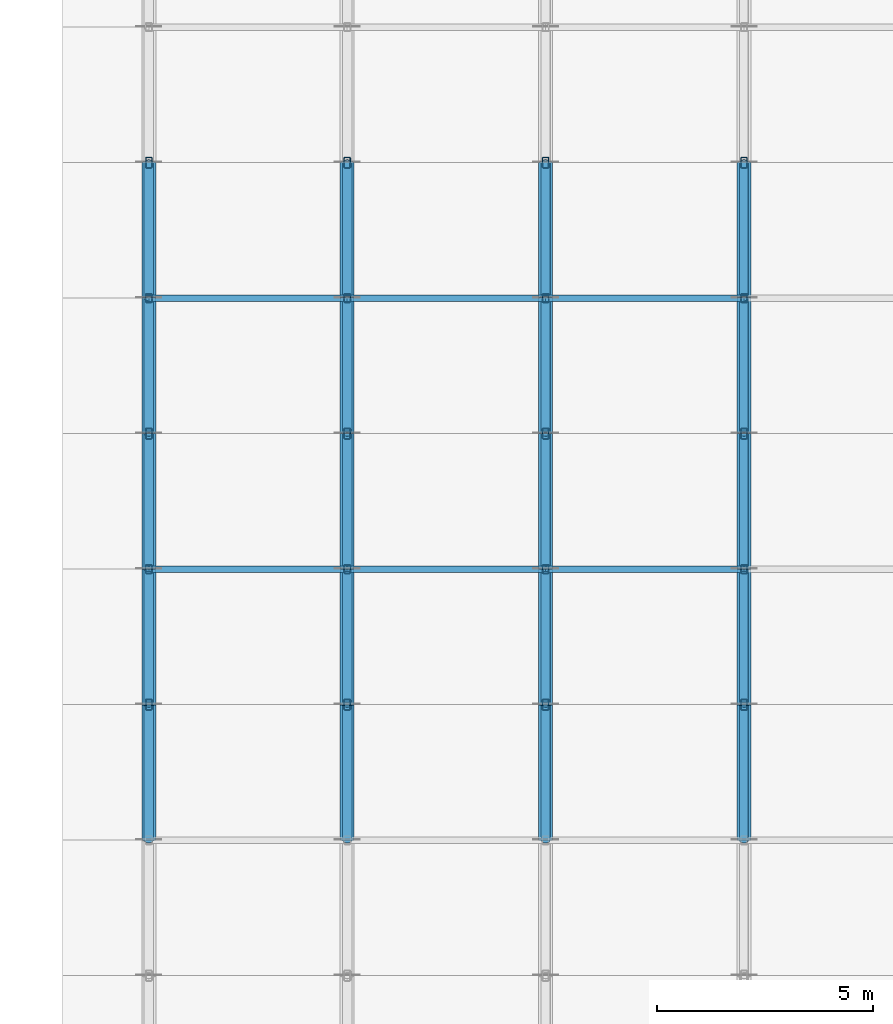
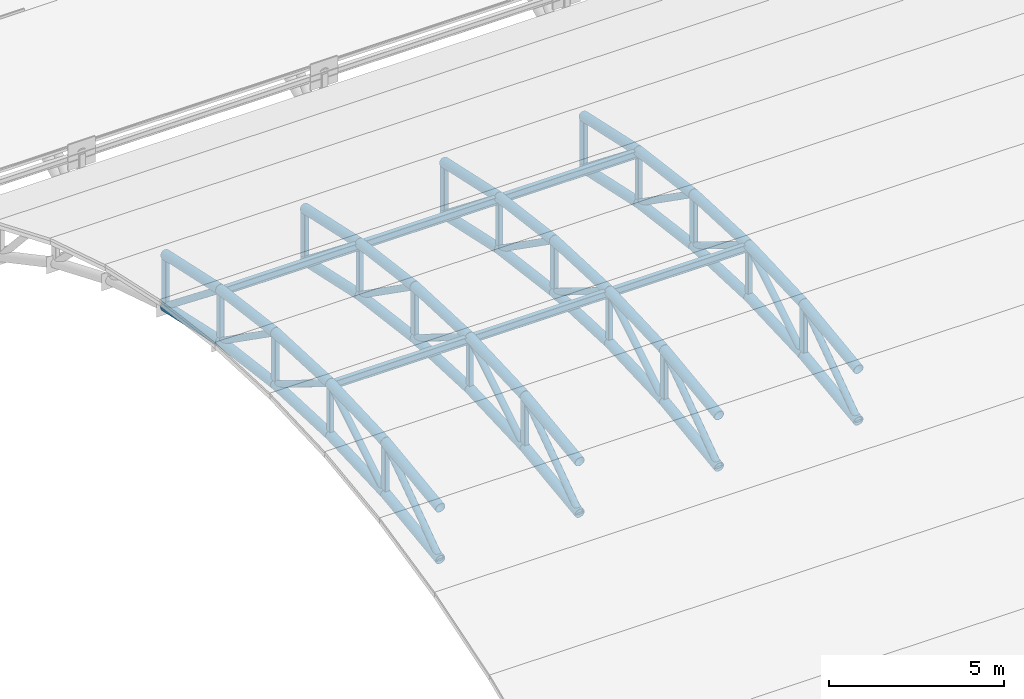
# One storey, part 41 of 98: 86 members.
"""IFC4 building model written with IfcOpenShell, lengths in metres."""

from ifc_helpers import new_model, si_unit, direction, frame, origin, origin_2d, place, context, subcontext, project, spatial, hollow_rectangle, hollow_circle, i_section, extrude, material, material_profile, profile_set, type_object, element, save


model = new_model("IFC4")

# Units and contexts
model_context = context("Model", 3, precision=1e-05, world=origin(), true_north=direction((0.0, 1.0)))
body_context = subcontext(model_context, "Body", "Model", "MODEL_VIEW")
ifc_project = project(units=[si_unit("LENGTHUNIT", "METRE"), si_unit("AREAUNIT", "SQUARE_METRE"), si_unit("VOLUMEUNIT", "CUBIC_METRE"), si_unit("PLANEANGLEUNIT", "RADIAN"), si_unit("MASSUNIT", "GRAM", prefix="KILO")], contexts=[model_context])

# Site, building, storey
site_placement = place(None, origin())
site = spatial("IfcSite", under=ifc_project, at=site_placement, CompositionType="ELEMENT")
building_placement = place(site_placement, origin())
building = spatial("IfcBuilding", under=site, at=building_placement, Name="Tlacozan Convention Centre", CompositionType="ELEMENT")
storey_placement = place(building_placement, frame((0.0, 0.0, 25.800048828125)))
storey = spatial("IfcBuildingStorey", under=building, at=storey_placement, Name="Roof", CompositionType="ELEMENT", Elevation=25.800048828125)

# Members
ifc_material_1 = material(Name="Steel ASTM A992 Grade 50", Category="steel")
ifc_material_profile_1 = material_profile(ifc_material_1, i_section(OverallWidth=0.14697265625, OverallDepth=0.261962890625, WebThickness=0.006591796875, FlangeThickness=0.01123046875, FilletRadius=0.008056640625, at=origin_2d()), Name="IR 254x38.5")
ifc_profile_set_1 = profile_set([ifc_material_profile_1], Name="Steel ASTM A992 Grade 50")
member_type_1 = type_object("IfcMemberType", Name="Plenary Acoustic Purlin IR 254x38.5", PredefinedType="PURLIN", material=ifc_profile_set_1)
for number, where, z_axis, x_axis, name in (
    (1, (146.0, 37.35009765625, -1.6650390625), (1.0, 0.0, 0.0), (0.0, 1.0, 0.0), "V3A Roof Truss Purlin 1.7"),
    (2, (146.0, 43.63330078125, -2.2060546875), (1.0, 0.0, 0.0), (0.0, 1.0, 0.0), "V3A Roof Truss Purlin 1.9"),
):
    element("IfcMember", number, at=place(storey_placement, frame(where, z_axis=z_axis, x_axis=x_axis)), inside=storey, type_object=member_type_1, Name=name, PredefinedType="PURLIN", context=body_context, shape_type="SweptSolid", body=[
        extrude(i_section(OverallWidth=0.14697265625, OverallDepth=0.261962890625, WebThickness=0.006591796875, FlangeThickness=0.01123046875, FilletRadius=0.008056640625, at=origin_2d()), origin(), (0.0, 0.0, 1.0), 4.60009765625),
    ])
for number, where, z_axis, x_axis, name in (
    (3, (150.60009765625, 37.35009765625, -1.6650390625), (1.0, 0.0, 0.0), (0.0, 1.0, 0.0), "V3A Roof Truss Purlin 2.7"),
    (4, (150.60009765625, 43.63330078125, -2.2060546875), (1.0, 0.0, 0.0), (0.0, 1.0, 0.0), "V3A Roof Truss Purlin 2.9"),
):
    element("IfcMember", number, at=place(storey_placement, frame(where, z_axis=z_axis, x_axis=x_axis)), inside=storey, type_object=member_type_1, Name=name, PredefinedType="PURLIN", context=body_context, shape_type="SweptSolid", body=[
        extrude(i_section(OverallWidth=0.14697265625, OverallDepth=0.261962890625, WebThickness=0.006591796875, FlangeThickness=0.01123046875, FilletRadius=0.008056640625, at=origin_2d()), origin(), (0.0, 0.0, 1.0), 4.599853515625),
    ])
for number, where, z_axis, x_axis, name in (
    (5, (155.199951171875, 37.35009765625, -1.6650390625), (1.0, 0.0, 0.0), (0.0, 1.0, 0.0), "V3A Roof Truss Purlin 3.7"),
    (6, (155.199951171875, 43.63330078125, -2.2060546875), (1.0, 0.0, 0.0), (0.0, 1.0, 0.0), "V3A Roof Truss Purlin 3.9"),
):
    element("IfcMember", number, at=place(storey_placement, frame(where, z_axis=z_axis, x_axis=x_axis)), inside=storey, type_object=member_type_1, Name=name, PredefinedType="PURLIN", context=body_context, shape_type="SweptSolid", body=[
        extrude(i_section(OverallWidth=0.14697265625, OverallDepth=0.261962890625, WebThickness=0.006591796875, FlangeThickness=0.01123046875, FilletRadius=0.008056640625, at=origin_2d()), origin(), (0.0, 0.0, 1.0), 4.60009765625),
    ])
ifc_material_2 = material(Name="Steel ASTM A500 Grade C", Category="steel")
ifc_material_profile_2 = material_profile(ifc_material_2, hollow_circle(Radius=0.161865234375, WallThickness=0.0126953125, at=origin_2d()), Name="OC 323.9x12.7")
ifc_profile_set_2 = profile_set([ifc_material_profile_2], Name="Steel ASTM A500 Grade C")
member_type_2 = type_object("IfcMemberType", Name="Plenary Arch Chord OC 323.9x12.7", PredefinedType="CHORD", material=ifc_profile_set_2)
for number, where, z_axis, x_axis, name in (
    (7, (146.0, 31.066650390625, -2.140869140625), (0.0, 0.991742488427, 0.12824522076), (-1.0, 0.0, 0.0), "V3A Roof Truss 1 Top Chord 5"),
    (8, (146.0, 31.066650390625, -3.94091796875), (0.0, 0.991742488427, 0.12824522076), (-1.0, 0.0, 0.0), "V3A Roof Truss 1 Bottom Chord 5"),
):
    element("IfcMember", number, at=place(storey_placement, frame(where, z_axis=z_axis, x_axis=x_axis)), inside=storey, type_object=member_type_2, Name=name, PredefinedType="CHORD", context=body_context, shape_type="SweptSolid", body=[
        extrude(hollow_circle(Radius=0.161865234375, WallThickness=0.0126953125, at=origin_2d()), origin(), (0.0, 0.0, 1.0), 3.167724609375),
    ])
for number, where, z_axis, x_axis, name in (
    (9, (146.0, 34.208251953125, -1.734619140625), (0.0, 0.999084650424, 0.042776877953), (-1.0, 0.0, 0.0), "V3A Roof Truss 1 Top Chord 6"),
    (10, (146.0, 34.208251953125, -3.53466796875), (0.0, 0.999084650424, 0.042776877953), (-1.0, 0.0, 0.0), "V3A Roof Truss 1 Bottom Chord 6"),
):
    element("IfcMember", number, at=place(storey_placement, frame(where, z_axis=z_axis, x_axis=x_axis)), inside=storey, type_object=member_type_2, Name=name, PredefinedType="CHORD", context=body_context, shape_type="SweptSolid", body=[
        extrude(hollow_circle(Radius=0.161865234375, WallThickness=0.0126953125, at=origin_2d()), origin(), (0.0, 0.0, 1.0), 3.144775390625),
    ])
for number, where, z_axis, x_axis, name in (
    (11, (146.0, 37.35009765625, -1.60009765625), (0.0, 0.999084508346, -0.042780196153), (-1.0, 0.0, 0.0), "V3A Roof Truss 1 Top Chord 7"),
    (12, (146.0, 37.35009765625, -3.400146484375), (0.0, 0.999084508346, -0.042780196153), (-1.0, 0.0, 0.0), "V3A Roof Truss 1 Bottom Chord 7"),
):
    element("IfcMember", number, at=place(storey_placement, frame(where, z_axis=z_axis, x_axis=x_axis)), inside=storey, type_object=member_type_2, Name=name, PredefinedType="CHORD", context=body_context, shape_type="SweptSolid", body=[
        extrude(hollow_circle(Radius=0.161865234375, WallThickness=0.0126953125, at=origin_2d()), origin(), (0.0, 0.0, 1.0), 3.14453125),
    ])
for number, where, z_axis, x_axis, name in (
    (13, (146.0, 40.49169921875, -1.734619140625), (0.0, 0.991742488427, -0.12824522076), (-1.0, 0.0, 0.0), "V3A Roof Truss 1 Top Chord 8"),
    (14, (146.0, 40.49169921875, -3.53466796875), (0.0, 0.991742488427, -0.12824522076), (-1.0, 0.0, 0.0), "V3A Roof Truss 1 Bottom Chord 8"),
):
    element("IfcMember", number, at=place(storey_placement, frame(where, z_axis=z_axis, x_axis=x_axis)), inside=storey, type_object=member_type_2, Name=name, PredefinedType="CHORD", context=body_context, shape_type="SweptSolid", body=[
        extrude(hollow_circle(Radius=0.161865234375, WallThickness=0.0126953125, at=origin_2d()), origin(), (0.0, 0.0, 1.0), 3.167724609375),
    ])
for number, where, z_axis, x_axis, name in (
    (15, (146.0, 43.63330078125, -2.140869140625), (0.0, 0.976866328427, -0.213850827415), (-1.0, 0.0, 0.0), "V3A Roof Truss 1 Top Chord 9"),
    (16, (146.0, 43.63330078125, -3.94091796875), (0.0, 0.976866328427, -0.213850827415), (-1.0, 0.0, 0.0), "V3A Roof Truss 1 Bottom Chord 9"),
):
    element("IfcMember", number, at=place(storey_placement, frame(where, z_axis=z_axis, x_axis=x_axis)), inside=storey, type_object=member_type_2, Name=name, PredefinedType="CHORD", context=body_context, shape_type="SweptSolid", body=[
        extrude(hollow_circle(Radius=0.161865234375, WallThickness=0.0126953125, at=origin_2d()), origin(), (0.0, 0.0, 1.0), 3.216064453125),
    ])
for number, where, z_axis, x_axis, name in (
    (17, (150.60009765625, 31.066650390625, -2.140869140625), (0.0, 0.991742488427, 0.12824522076), (-1.0, 0.0, 0.0), "V3A Roof Truss 2 Top Chord 5"),
    (18, (150.60009765625, 31.066650390625, -3.94091796875), (0.0, 0.991742488427, 0.12824522076), (-1.0, 0.0, 0.0), "V3A Roof Truss 2 Bottom Chord 5"),
):
    element("IfcMember", number, at=place(storey_placement, frame(where, z_axis=z_axis, x_axis=x_axis)), inside=storey, type_object=member_type_2, Name=name, PredefinedType="CHORD", context=body_context, shape_type="SweptSolid", body=[
        extrude(hollow_circle(Radius=0.161865234375, WallThickness=0.0126953125, at=origin_2d()), origin(), (0.0, 0.0, 1.0), 3.167724609375),
    ])
for number, where, z_axis, x_axis, name in (
    (19, (150.60009765625, 34.208251953125, -1.734619140625), (0.0, 0.999084650424, 0.042776877953), (-1.0, 0.0, 0.0), "V3A Roof Truss 2 Top Chord 6"),
    (20, (150.60009765625, 34.208251953125, -3.53466796875), (0.0, 0.999084650424, 0.042776877953), (-1.0, 0.0, 0.0), "V3A Roof Truss 2 Bottom Chord 6"),
):
    element("IfcMember", number, at=place(storey_placement, frame(where, z_axis=z_axis, x_axis=x_axis)), inside=storey, type_object=member_type_2, Name=name, PredefinedType="CHORD", context=body_context, shape_type="SweptSolid", body=[
        extrude(hollow_circle(Radius=0.161865234375, WallThickness=0.0126953125, at=origin_2d()), origin(), (0.0, 0.0, 1.0), 3.144775390625),
    ])
for number, where, z_axis, x_axis, name in (
    (21, (150.60009765625, 37.35009765625, -1.60009765625), (0.0, 0.999084508346, -0.042780196153), (-1.0, 0.0, 0.0), "V3A Roof Truss 2 Top Chord 7"),
    (22, (150.60009765625, 37.35009765625, -3.400146484375), (0.0, 0.999084508346, -0.042780196153), (-1.0, 0.0, 0.0), "V3A Roof Truss 2 Bottom Chord 7"),
):
    element("IfcMember", number, at=place(storey_placement, frame(where, z_axis=z_axis, x_axis=x_axis)), inside=storey, type_object=member_type_2, Name=name, PredefinedType="CHORD", context=body_context, shape_type="SweptSolid", body=[
        extrude(hollow_circle(Radius=0.161865234375, WallThickness=0.0126953125, at=origin_2d()), origin(), (0.0, 0.0, 1.0), 3.14453125),
    ])
for number, where, z_axis, x_axis, name in (
    (23, (150.60009765625, 40.49169921875, -1.734619140625), (0.0, 0.991742488427, -0.12824522076), (-1.0, 0.0, 0.0), "V3A Roof Truss 2 Top Chord 8"),
    (24, (150.60009765625, 40.49169921875, -3.53466796875), (0.0, 0.991742488427, -0.12824522076), (-1.0, 0.0, 0.0), "V3A Roof Truss 2 Bottom Chord 8"),
):
    element("IfcMember", number, at=place(storey_placement, frame(where, z_axis=z_axis, x_axis=x_axis)), inside=storey, type_object=member_type_2, Name=name, PredefinedType="CHORD", context=body_context, shape_type="SweptSolid", body=[
        extrude(hollow_circle(Radius=0.161865234375, WallThickness=0.0126953125, at=origin_2d()), origin(), (0.0, 0.0, 1.0), 3.167724609375),
    ])
for number, where, z_axis, x_axis, name in (
    (25, (150.60009765625, 43.63330078125, -2.140869140625), (0.0, 0.976866328427, -0.213850827415), (-1.0, 0.0, 0.0), "V3A Roof Truss 2 Top Chord 9"),
    (26, (150.60009765625, 43.63330078125, -3.94091796875), (0.0, 0.976866328427, -0.213850827415), (-1.0, 0.0, 0.0), "V3A Roof Truss 2 Bottom Chord 9"),
):
    element("IfcMember", number, at=place(storey_placement, frame(where, z_axis=z_axis, x_axis=x_axis)), inside=storey, type_object=member_type_2, Name=name, PredefinedType="CHORD", context=body_context, shape_type="SweptSolid", body=[
        extrude(hollow_circle(Radius=0.161865234375, WallThickness=0.0126953125, at=origin_2d()), origin(), (0.0, 0.0, 1.0), 3.216064453125),
    ])
for number, where, z_axis, x_axis, name in (
    (27, (155.199951171875, 31.066650390625, -2.140869140625), (0.0, 0.991742488427, 0.12824522076), (-1.0, 0.0, 0.0), "V3A Roof Truss 3 Top Chord 5"),
    (28, (155.199951171875, 31.066650390625, -3.94091796875), (0.0, 0.991742488427, 0.12824522076), (-1.0, 0.0, 0.0), "V3A Roof Truss 3 Bottom Chord 5"),
):
    element("IfcMember", number, at=place(storey_placement, frame(where, z_axis=z_axis, x_axis=x_axis)), inside=storey, type_object=member_type_2, Name=name, PredefinedType="CHORD", context=body_context, shape_type="SweptSolid", body=[
        extrude(hollow_circle(Radius=0.161865234375, WallThickness=0.0126953125, at=origin_2d()), origin(), (0.0, 0.0, 1.0), 3.167724609375),
    ])
for number, where, z_axis, x_axis, name in (
    (29, (155.199951171875, 34.208251953125, -1.734619140625), (0.0, 0.999084650424, 0.042776877953), (-1.0, 0.0, 0.0), "V3A Roof Truss 3 Top Chord 6"),
    (30, (155.199951171875, 34.208251953125, -3.53466796875), (0.0, 0.999084650424, 0.042776877953), (-1.0, 0.0, 0.0), "V3A Roof Truss 3 Bottom Chord 6"),
):
    element("IfcMember", number, at=place(storey_placement, frame(where, z_axis=z_axis, x_axis=x_axis)), inside=storey, type_object=member_type_2, Name=name, PredefinedType="CHORD", context=body_context, shape_type="SweptSolid", body=[
        extrude(hollow_circle(Radius=0.161865234375, WallThickness=0.0126953125, at=origin_2d()), origin(), (0.0, 0.0, 1.0), 3.144775390625),
    ])
for number, where, z_axis, x_axis, name in (
    (31, (155.199951171875, 37.35009765625, -1.60009765625), (0.0, 0.999084508346, -0.042780196153), (-1.0, 0.0, 0.0), "V3A Roof Truss 3 Top Chord 7"),
    (32, (155.199951171875, 37.35009765625, -3.400146484375), (0.0, 0.999084508346, -0.042780196153), (-1.0, 0.0, 0.0), "V3A Roof Truss 3 Bottom Chord 7"),
):
    element("IfcMember", number, at=place(storey_placement, frame(where, z_axis=z_axis, x_axis=x_axis)), inside=storey, type_object=member_type_2, Name=name, PredefinedType="CHORD", context=body_context, shape_type="SweptSolid", body=[
        extrude(hollow_circle(Radius=0.161865234375, WallThickness=0.0126953125, at=origin_2d()), origin(), (0.0, 0.0, 1.0), 3.14453125),
    ])
for number, where, z_axis, x_axis, name in (
    (33, (155.199951171875, 40.49169921875, -1.734619140625), (0.0, 0.991742488427, -0.12824522076), (-1.0, 0.0, 0.0), "V3A Roof Truss 3 Top Chord 8"),
    (34, (155.199951171875, 40.49169921875, -3.53466796875), (0.0, 0.991742488427, -0.12824522076), (-1.0, 0.0, 0.0), "V3A Roof Truss 3 Bottom Chord 8"),
):
    element("IfcMember", number, at=place(storey_placement, frame(where, z_axis=z_axis, x_axis=x_axis)), inside=storey, type_object=member_type_2, Name=name, PredefinedType="CHORD", context=body_context, shape_type="SweptSolid", body=[
        extrude(hollow_circle(Radius=0.161865234375, WallThickness=0.0126953125, at=origin_2d()), origin(), (0.0, 0.0, 1.0), 3.167724609375),
    ])
for number, where, z_axis, x_axis, name in (
    (35, (155.199951171875, 43.63330078125, -2.140869140625), (0.0, 0.976866328427, -0.213850827415), (-1.0, 0.0, 0.0), "V3A Roof Truss 3 Top Chord 9"),
    (36, (155.199951171875, 43.63330078125, -3.94091796875), (0.0, 0.976866328427, -0.213850827415), (-1.0, 0.0, 0.0), "V3A Roof Truss 3 Bottom Chord 9"),
):
    element("IfcMember", number, at=place(storey_placement, frame(where, z_axis=z_axis, x_axis=x_axis)), inside=storey, type_object=member_type_2, Name=name, PredefinedType="CHORD", context=body_context, shape_type="SweptSolid", body=[
        extrude(hollow_circle(Radius=0.161865234375, WallThickness=0.0126953125, at=origin_2d()), origin(), (0.0, 0.0, 1.0), 3.216064453125),
    ])
for number, where, z_axis, x_axis, name in (
    (37, (159.800048828125, 31.066650390625, -2.140869140625), (0.0, 0.991742488427, 0.12824522076), (-1.0, 0.0, 0.0), "V3A Roof Truss 4 Top Chord 5"),
    (38, (159.800048828125, 31.066650390625, -3.94091796875), (0.0, 0.991742488427, 0.12824522076), (-1.0, 0.0, 0.0), "V3A Roof Truss 4 Bottom Chord 5"),
):
    element("IfcMember", number, at=place(storey_placement, frame(where, z_axis=z_axis, x_axis=x_axis)), inside=storey, type_object=member_type_2, Name=name, PredefinedType="CHORD", context=body_context, shape_type="SweptSolid", body=[
        extrude(hollow_circle(Radius=0.161865234375, WallThickness=0.0126953125, at=origin_2d()), origin(), (0.0, 0.0, 1.0), 3.167724609375),
    ])
for number, where, z_axis, x_axis, name in (
    (39, (159.800048828125, 34.208251953125, -1.734619140625), (0.0, 0.999084650424, 0.042776877953), (-1.0, 0.0, 0.0), "V3A Roof Truss 4 Top Chord 6"),
    (40, (159.800048828125, 34.208251953125, -3.53466796875), (0.0, 0.999084650424, 0.042776877953), (-1.0, 0.0, 0.0), "V3A Roof Truss 4 Bottom Chord 6"),
):
    element("IfcMember", number, at=place(storey_placement, frame(where, z_axis=z_axis, x_axis=x_axis)), inside=storey, type_object=member_type_2, Name=name, PredefinedType="CHORD", context=body_context, shape_type="SweptSolid", body=[
        extrude(hollow_circle(Radius=0.161865234375, WallThickness=0.0126953125, at=origin_2d()), origin(), (0.0, 0.0, 1.0), 3.144775390625),
    ])
for number, where, z_axis, x_axis, name in (
    (41, (159.800048828125, 37.35009765625, -1.60009765625), (0.0, 0.999084508346, -0.042780196153), (-1.0, 0.0, 0.0), "V3A Roof Truss 4 Top Chord 7"),
    (42, (159.800048828125, 37.35009765625, -3.400146484375), (0.0, 0.999084508346, -0.042780196153), (-1.0, 0.0, 0.0), "V3A Roof Truss 4 Bottom Chord 7"),
):
    element("IfcMember", number, at=place(storey_placement, frame(where, z_axis=z_axis, x_axis=x_axis)), inside=storey, type_object=member_type_2, Name=name, PredefinedType="CHORD", context=body_context, shape_type="SweptSolid", body=[
        extrude(hollow_circle(Radius=0.161865234375, WallThickness=0.0126953125, at=origin_2d()), origin(), (0.0, 0.0, 1.0), 3.14453125),
    ])
for number, where, z_axis, x_axis, name in (
    (43, (159.800048828125, 40.49169921875, -1.734619140625), (0.0, 0.991742488427, -0.12824522076), (-1.0, 0.0, 0.0), "V3A Roof Truss 4 Top Chord 8"),
    (44, (159.800048828125, 40.49169921875, -3.53466796875), (0.0, 0.991742488427, -0.12824522076), (-1.0, 0.0, 0.0), "V3A Roof Truss 4 Bottom Chord 8"),
):
    element("IfcMember", number, at=place(storey_placement, frame(where, z_axis=z_axis, x_axis=x_axis)), inside=storey, type_object=member_type_2, Name=name, PredefinedType="CHORD", context=body_context, shape_type="SweptSolid", body=[
        extrude(hollow_circle(Radius=0.161865234375, WallThickness=0.0126953125, at=origin_2d()), origin(), (0.0, 0.0, 1.0), 3.167724609375),
    ])
for number, where, z_axis, x_axis, name in (
    (45, (159.800048828125, 43.63330078125, -2.140869140625), (0.0, 0.976866328427, -0.213850827415), (-1.0, 0.0, 0.0), "V3A Roof Truss 4 Top Chord 9"),
    (46, (159.800048828125, 43.63330078125, -3.94091796875), (0.0, 0.976866328427, -0.213850827415), (-1.0, 0.0, 0.0), "V3A Roof Truss 4 Bottom Chord 9"),
):
    element("IfcMember", number, at=place(storey_placement, frame(where, z_axis=z_axis, x_axis=x_axis)), inside=storey, type_object=member_type_2, Name=name, PredefinedType="CHORD", context=body_context, shape_type="SweptSolid", body=[
        extrude(hollow_circle(Radius=0.161865234375, WallThickness=0.0126953125, at=origin_2d()), origin(), (0.0, 0.0, 1.0), 3.216064453125),
    ])
ifc_material_profile_3 = material_profile(ifc_material_2, hollow_circle(Radius=0.109619140625, WallThickness=0.009521484375, at=origin_2d()), Name="OC 219.1x9.5")
ifc_profile_set_3 = profile_set([ifc_material_profile_3], Name="Steel ASTM A500 Grade C")
member_type_3 = type_object("IfcMemberType", Name="Plenary Web Diagonal OC 219.1x9.5", PredefinedType="BRACE", material=ifc_profile_set_3)
member_1_placement = place(storey_placement, frame((146.0, 31.066650390625, -3.94091796875), z_axis=(0.0, 0.818352567216, 0.574716517713), x_axis=(-1.0, 0.0, 0.0)))
element("IfcMember", 47, at=member_1_placement, inside=storey, type_object=member_type_3, Name="V3A Roof Truss 1 Web Diagonal 5", PredefinedType="BRACE", context=body_context, shape_type="SweptSolid", body=[
    extrude(hollow_circle(Radius=0.109619140625, WallThickness=0.009521484375, at=origin_2d()), origin(), (0.0, 0.0, 1.0), 3.8388671875),
])
member_2_placement = place(storey_placement, frame((146.0, 34.208251953125, -3.53466796875), z_axis=(0.0, 0.851521975181, 0.524318916103), x_axis=(-1.0, 0.0, 0.0)))
element("IfcMember", 48, at=member_2_placement, inside=storey, type_object=member_type_3, Name="V3A Roof Truss 1 Web Diagonal 6", PredefinedType="BRACE", context=body_context, shape_type="SweptSolid", body=[
    extrude(hollow_circle(Radius=0.109619140625, WallThickness=0.009521484375, at=origin_2d()), origin(), (0.0, 0.0, 1.0), 3.689697265625),
])
member_3_placement = place(storey_placement, frame((146.0, 37.35009765625, -1.60009765625), z_axis=(0.0, 0.851503783249, -0.524348459626), x_axis=(-1.0, 0.0, 0.0)))
element("IfcMember", 49, at=member_3_placement, inside=storey, type_object=member_type_3, Name="V3A Roof Truss 1 Web Diagonal 7", PredefinedType="BRACE", context=body_context, shape_type="SweptSolid", body=[
    extrude(hollow_circle(Radius=0.109619140625, WallThickness=0.009521484375, at=origin_2d()), origin(), (0.0, 0.0, 1.0), 3.689453125),
])
member_4_placement = place(storey_placement, frame((146.0, 40.49169921875, -1.734619140625), z_axis=(0.0, 0.818352567216, -0.574716517713), x_axis=(-1.0, 0.0, 0.0)))
element("IfcMember", 50, at=member_4_placement, inside=storey, type_object=member_type_3, Name="V3A Roof Truss 1 Web Diagonal 8", PredefinedType="BRACE", context=body_context, shape_type="SweptSolid", body=[
    extrude(hollow_circle(Radius=0.109619140625, WallThickness=0.009521484375, at=origin_2d()), origin(), (0.0, 0.0, 1.0), 3.8388671875),
])
member_5_placement = place(storey_placement, frame((146.0, 43.63330078125, -2.140869140625), z_axis=(0.0, 0.783961811964, -0.620809050661), x_axis=(-1.0, 0.0, 0.0)))
element("IfcMember", 51, at=member_5_placement, inside=storey, type_object=member_type_3, Name="V3A Roof Truss 1 Web Diagonal 9", PredefinedType="BRACE", context=body_context, shape_type="SweptSolid", body=[
    extrude(hollow_circle(Radius=0.109619140625, WallThickness=0.009521484375, at=origin_2d()), origin(), (0.0, 0.0, 1.0), 4.00732421875),
])
member_6_placement = place(storey_placement, frame((150.60009765625, 31.066650390625, -3.94091796875), z_axis=(0.0, 0.818352567216, 0.574716517713), x_axis=(-1.0, 0.0, 0.0)))
element("IfcMember", 52, at=member_6_placement, inside=storey, type_object=member_type_3, Name="V3A Roof Truss 2 Web Diagonal 5", PredefinedType="BRACE", context=body_context, shape_type="SweptSolid", body=[
    extrude(hollow_circle(Radius=0.109619140625, WallThickness=0.009521484375, at=origin_2d()), origin(), (0.0, 0.0, 1.0), 3.8388671875),
])
member_7_placement = place(storey_placement, frame((150.60009765625, 34.208251953125, -3.53466796875), z_axis=(0.0, 0.851521975181, 0.524318916103), x_axis=(-1.0, 0.0, 0.0)))
element("IfcMember", 53, at=member_7_placement, inside=storey, type_object=member_type_3, Name="V3A Roof Truss 2 Web Diagonal 6", PredefinedType="BRACE", context=body_context, shape_type="SweptSolid", body=[
    extrude(hollow_circle(Radius=0.109619140625, WallThickness=0.009521484375, at=origin_2d()), origin(), (0.0, 0.0, 1.0), 3.689697265625),
])
member_8_placement = place(storey_placement, frame((150.60009765625, 37.35009765625, -1.60009765625), z_axis=(0.0, 0.851503783249, -0.524348459626), x_axis=(-1.0, 0.0, 0.0)))
element("IfcMember", 54, at=member_8_placement, inside=storey, type_object=member_type_3, Name="V3A Roof Truss 2 Web Diagonal 7", PredefinedType="BRACE", context=body_context, shape_type="SweptSolid", body=[
    extrude(hollow_circle(Radius=0.109619140625, WallThickness=0.009521484375, at=origin_2d()), origin(), (0.0, 0.0, 1.0), 3.689453125),
])
member_9_placement = place(storey_placement, frame((150.60009765625, 40.49169921875, -1.734619140625), z_axis=(0.0, 0.818352567216, -0.574716517713), x_axis=(-1.0, 0.0, 0.0)))
element("IfcMember", 55, at=member_9_placement, inside=storey, type_object=member_type_3, Name="V3A Roof Truss 2 Web Diagonal 8", PredefinedType="BRACE", context=body_context, shape_type="SweptSolid", body=[
    extrude(hollow_circle(Radius=0.109619140625, WallThickness=0.009521484375, at=origin_2d()), origin(), (0.0, 0.0, 1.0), 3.8388671875),
])
member_10_placement = place(storey_placement, frame((150.60009765625, 43.63330078125, -2.140869140625), z_axis=(0.0, 0.783961811964, -0.620809050661), x_axis=(-1.0, 0.0, 0.0)))
element("IfcMember", 56, at=member_10_placement, inside=storey, type_object=member_type_3, Name="V3A Roof Truss 2 Web Diagonal 9", PredefinedType="BRACE", context=body_context, shape_type="SweptSolid", body=[
    extrude(hollow_circle(Radius=0.109619140625, WallThickness=0.009521484375, at=origin_2d()), origin(), (0.0, 0.0, 1.0), 4.00732421875),
])
member_11_placement = place(storey_placement, frame((155.199951171875, 31.066650390625, -3.94091796875), z_axis=(0.0, 0.818352567216, 0.574716517713), x_axis=(-1.0, 0.0, 0.0)))
element("IfcMember", 57, at=member_11_placement, inside=storey, type_object=member_type_3, Name="V3A Roof Truss 3 Web Diagonal 5", PredefinedType="BRACE", context=body_context, shape_type="SweptSolid", body=[
    extrude(hollow_circle(Radius=0.109619140625, WallThickness=0.009521484375, at=origin_2d()), origin(), (0.0, 0.0, 1.0), 3.8388671875),
])
member_12_placement = place(storey_placement, frame((155.199951171875, 34.208251953125, -3.53466796875), z_axis=(0.0, 0.851521975181, 0.524318916103), x_axis=(-1.0, 0.0, 0.0)))
element("IfcMember", 58, at=member_12_placement, inside=storey, type_object=member_type_3, Name="V3A Roof Truss 3 Web Diagonal 6", PredefinedType="BRACE", context=body_context, shape_type="SweptSolid", body=[
    extrude(hollow_circle(Radius=0.109619140625, WallThickness=0.009521484375, at=origin_2d()), origin(), (0.0, 0.0, 1.0), 3.689697265625),
])
member_13_placement = place(storey_placement, frame((155.199951171875, 37.35009765625, -1.60009765625), z_axis=(0.0, 0.851503783249, -0.524348459626), x_axis=(-1.0, 0.0, 0.0)))
element("IfcMember", 59, at=member_13_placement, inside=storey, type_object=member_type_3, Name="V3A Roof Truss 3 Web Diagonal 7", PredefinedType="BRACE", context=body_context, shape_type="SweptSolid", body=[
    extrude(hollow_circle(Radius=0.109619140625, WallThickness=0.009521484375, at=origin_2d()), origin(), (0.0, 0.0, 1.0), 3.689453125),
])
member_14_placement = place(storey_placement, frame((155.199951171875, 40.49169921875, -1.734619140625), z_axis=(0.0, 0.818352567216, -0.574716517713), x_axis=(-1.0, 0.0, 0.0)))
element("IfcMember", 60, at=member_14_placement, inside=storey, type_object=member_type_3, Name="V3A Roof Truss 3 Web Diagonal 8", PredefinedType="BRACE", context=body_context, shape_type="SweptSolid", body=[
    extrude(hollow_circle(Radius=0.109619140625, WallThickness=0.009521484375, at=origin_2d()), origin(), (0.0, 0.0, 1.0), 3.8388671875),
])
member_15_placement = place(storey_placement, frame((155.199951171875, 43.63330078125, -2.140869140625), z_axis=(0.0, 0.783961811964, -0.620809050661), x_axis=(-1.0, 0.0, 0.0)))
element("IfcMember", 61, at=member_15_placement, inside=storey, type_object=member_type_3, Name="V3A Roof Truss 3 Web Diagonal 9", PredefinedType="BRACE", context=body_context, shape_type="SweptSolid", body=[
    extrude(hollow_circle(Radius=0.109619140625, WallThickness=0.009521484375, at=origin_2d()), origin(), (0.0, 0.0, 1.0), 4.00732421875),
])
member_16_placement = place(storey_placement, frame((159.800048828125, 31.066650390625, -3.94091796875), z_axis=(0.0, 0.818352567216, 0.574716517713), x_axis=(-1.0, 0.0, 0.0)))
element("IfcMember", 62, at=member_16_placement, inside=storey, type_object=member_type_3, Name="V3A Roof Truss 4 Web Diagonal 5", PredefinedType="BRACE", context=body_context, shape_type="SweptSolid", body=[
    extrude(hollow_circle(Radius=0.109619140625, WallThickness=0.009521484375, at=origin_2d()), origin(), (0.0, 0.0, 1.0), 3.8388671875),
])
member_17_placement = place(storey_placement, frame((159.800048828125, 34.208251953125, -3.53466796875), z_axis=(0.0, 0.851521975181, 0.524318916103), x_axis=(-1.0, 0.0, 0.0)))
element("IfcMember", 63, at=member_17_placement, inside=storey, type_object=member_type_3, Name="V3A Roof Truss 4 Web Diagonal 6", PredefinedType="BRACE", context=body_context, shape_type="SweptSolid", body=[
    extrude(hollow_circle(Radius=0.109619140625, WallThickness=0.009521484375, at=origin_2d()), origin(), (0.0, 0.0, 1.0), 3.689697265625),
])
member_18_placement = place(storey_placement, frame((159.800048828125, 37.35009765625, -1.60009765625), z_axis=(0.0, 0.851503783249, -0.524348459626), x_axis=(-1.0, 0.0, 0.0)))
element("IfcMember", 64, at=member_18_placement, inside=storey, type_object=member_type_3, Name="V3A Roof Truss 4 Web Diagonal 7", PredefinedType="BRACE", context=body_context, shape_type="SweptSolid", body=[
    extrude(hollow_circle(Radius=0.109619140625, WallThickness=0.009521484375, at=origin_2d()), origin(), (0.0, 0.0, 1.0), 3.689453125),
])
member_19_placement = place(storey_placement, frame((159.800048828125, 40.49169921875, -1.734619140625), z_axis=(0.0, 0.818352567216, -0.574716517713), x_axis=(-1.0, 0.0, 0.0)))
element("IfcMember", 65, at=member_19_placement, inside=storey, type_object=member_type_3, Name="V3A Roof Truss 4 Web Diagonal 8", PredefinedType="BRACE", context=body_context, shape_type="SweptSolid", body=[
    extrude(hollow_circle(Radius=0.109619140625, WallThickness=0.009521484375, at=origin_2d()), origin(), (0.0, 0.0, 1.0), 3.8388671875),
])
member_20_placement = place(storey_placement, frame((159.800048828125, 43.63330078125, -2.140869140625), z_axis=(0.0, 0.783961811964, -0.620809050661), x_axis=(-1.0, 0.0, 0.0)))
element("IfcMember", 66, at=member_20_placement, inside=storey, type_object=member_type_3, Name="V3A Roof Truss 4 Web Diagonal 9", PredefinedType="BRACE", context=body_context, shape_type="SweptSolid", body=[
    extrude(hollow_circle(Radius=0.109619140625, WallThickness=0.009521484375, at=origin_2d()), origin(), (0.0, 0.0, 1.0), 4.00732421875),
])
ifc_material_profile_4 = material_profile(ifc_material_2, hollow_rectangle(XDim=0.15234375, YDim=0.203125, WallThickness=0.009521484375, InnerFilletRadius=0.009521484375, OuterFilletRadius=0.01904296875, at=origin_2d()), Name="OR 203x152x9.5")
ifc_profile_set_4 = profile_set([ifc_material_profile_4], Name="Steel ASTM A500 Grade C")
member_type_4 = type_object("IfcMemberType", Name="Plenary Web Strut OR 203x152x9.5", PredefinedType="STRUT", material=ifc_profile_set_4)
for number, where, z_axis, x_axis, name in (
    (67, (146.0, 37.35009765625, -3.400146484375), (0.0, 0.0, 1.0), (1.0, 0.0, 0.0), "V3A Roof Truss 1 Vertical Strut 7"),
    (68, (146.0, 43.63330078125, -3.94091796875), (0.0, 0.0, 1.0), (1.0, 0.0, 0.0), "V3A Roof Truss 1 Vertical Strut 9"),
    (69, (150.60009765625, 37.35009765625, -3.400146484375), (0.0, 0.0, 1.0), (1.0, 0.0, 0.0), "V3A Roof Truss 2 Vertical Strut 7"),
    (70, (150.60009765625, 43.63330078125, -3.94091796875), (0.0, 0.0, 1.0), (1.0, 0.0, 0.0), "V3A Roof Truss 2 Vertical Strut 9"),
    (71, (155.199951171875, 37.35009765625, -3.400146484375), (0.0, 0.0, 1.0), (1.0, 0.0, 0.0), "V3A Roof Truss 3 Vertical Strut 7"),
    (72, (155.199951171875, 43.63330078125, -3.94091796875), (0.0, 0.0, 1.0), (1.0, 0.0, 0.0), "V3A Roof Truss 3 Vertical Strut 9"),
    (73, (159.800048828125, 37.35009765625, -3.400146484375), (0.0, 0.0, 1.0), (1.0, 0.0, 0.0), "V3A Roof Truss 4 Vertical Strut 7"),
    (74, (159.800048828125, 43.63330078125, -3.94091796875), (0.0, 0.0, 1.0), (1.0, 0.0, 0.0), "V3A Roof Truss 4 Vertical Strut 9"),
):
    element("IfcMember", number, at=place(storey_placement, frame(where, z_axis=z_axis, x_axis=x_axis)), inside=storey, type_object=member_type_4, Name=name, PredefinedType="STRUT", context=body_context, shape_type="SweptSolid", body=[
        extrude(hollow_rectangle(XDim=0.15234375, YDim=0.203125, WallThickness=0.009521484375, InnerFilletRadius=0.009521484375, OuterFilletRadius=0.01904296875, at=origin_2d()), origin(), (0.0, 0.0, 1.0), 1.800048828125),
    ])
ifc_material_profile_5 = material_profile(ifc_material_2, hollow_rectangle(XDim=0.15234375, YDim=0.25390625, WallThickness=0.0126953125, InnerFilletRadius=0.0126953125, OuterFilletRadius=0.02490234375, at=origin_2d()), Name="OR 254x152x12.7")
ifc_profile_set_5 = profile_set([ifc_material_profile_5], Name="Steel ASTM A500 Grade C")
member_type_5 = type_object("IfcMemberType", Name="Truss Secondary Strut OR 254x152x12.7", PredefinedType="STRUT", material=ifc_profile_set_5)
for number, where, z_axis, x_axis, name in (
    (75, (146.0, 34.208251953125, -3.53466796875), (0.0, 0.0, 1.0), (1.0, 0.0, 0.0), "V3A Roof Truss 1 Vertical Strut 6"),
    (76, (146.0, 40.49169921875, -3.53466796875), (0.0, 0.0, 1.0), (1.0, 0.0, 0.0), "V3A Roof Truss 1 Vertical Strut 8"),
    (77, (146.0, 46.77490234375, -4.628662109375), (0.0, 0.0, 1.0), (1.0, 0.0, 0.0), "V3A Roof Truss 1 Vertical Strut 10"),
    (78, (150.60009765625, 34.208251953125, -3.53466796875), (0.0, 0.0, 1.0), (1.0, 0.0, 0.0), "V3A Roof Truss 2 Vertical Strut 6"),
    (79, (150.60009765625, 40.49169921875, -3.53466796875), (0.0, 0.0, 1.0), (1.0, 0.0, 0.0), "V3A Roof Truss 2 Vertical Strut 8"),
    (80, (150.60009765625, 46.77490234375, -4.628662109375), (0.0, 0.0, 1.0), (1.0, 0.0, 0.0), "V3A Roof Truss 2 Vertical Strut 10"),
    (81, (155.199951171875, 34.208251953125, -3.53466796875), (0.0, 0.0, 1.0), (1.0, 0.0, 0.0), "V3A Roof Truss 3 Vertical Strut 6"),
    (82, (155.199951171875, 40.49169921875, -3.53466796875), (0.0, 0.0, 1.0), (1.0, 0.0, 0.0), "V3A Roof Truss 3 Vertical Strut 8"),
    (83, (155.199951171875, 46.77490234375, -4.628662109375), (0.0, 0.0, 1.0), (1.0, 0.0, 0.0), "V3A Roof Truss 3 Vertical Strut 10"),
    (84, (159.800048828125, 34.208251953125, -3.53466796875), (0.0, 0.0, 1.0), (1.0, 0.0, 0.0), "V3A Roof Truss 4 Vertical Strut 6"),
    (85, (159.800048828125, 40.49169921875, -3.53466796875), (0.0, 0.0, 1.0), (1.0, 0.0, 0.0), "V3A Roof Truss 4 Vertical Strut 8"),
    (86, (159.800048828125, 46.77490234375, -4.628662109375), (0.0, 0.0, 1.0), (1.0, 0.0, 0.0), "V3A Roof Truss 4 Vertical Strut 10"),
):
    element("IfcMember", number, at=place(storey_placement, frame(where, z_axis=z_axis, x_axis=x_axis)), inside=storey, type_object=member_type_5, Name=name, PredefinedType="STRUT", context=body_context, shape_type="SweptSolid", body=[
        extrude(hollow_rectangle(XDim=0.15234375, YDim=0.25390625, WallThickness=0.0126953125, InnerFilletRadius=0.0126953125, OuterFilletRadius=0.02490234375, at=origin_2d()), origin(), (0.0, 0.0, 1.0), 1.800048828125),
    ])

save(model, "model.ifc")
